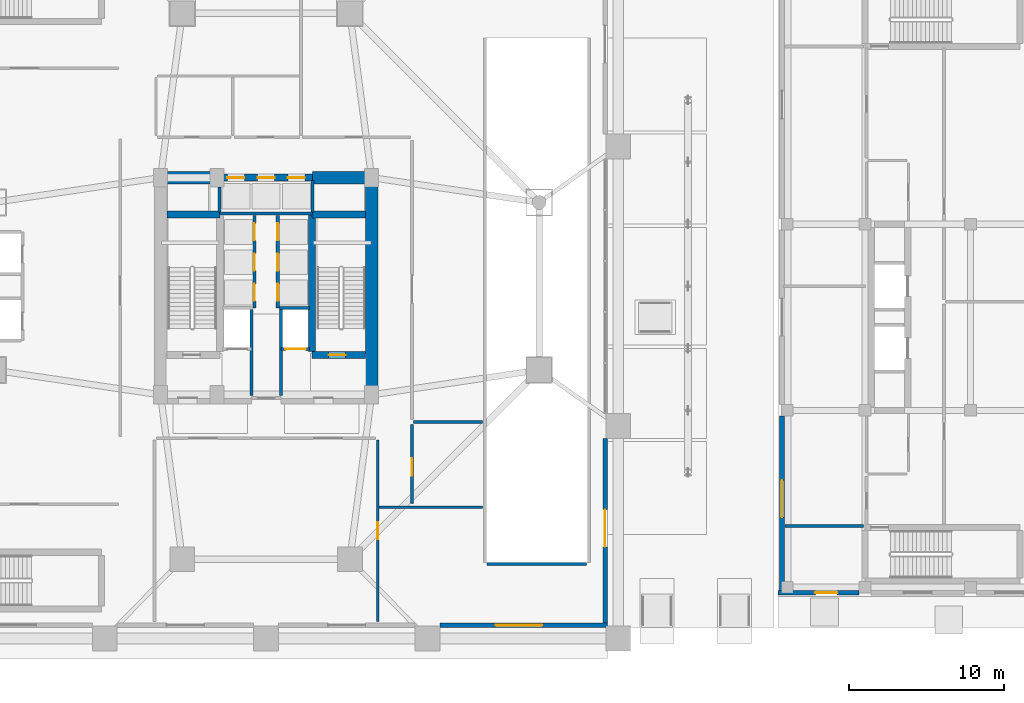
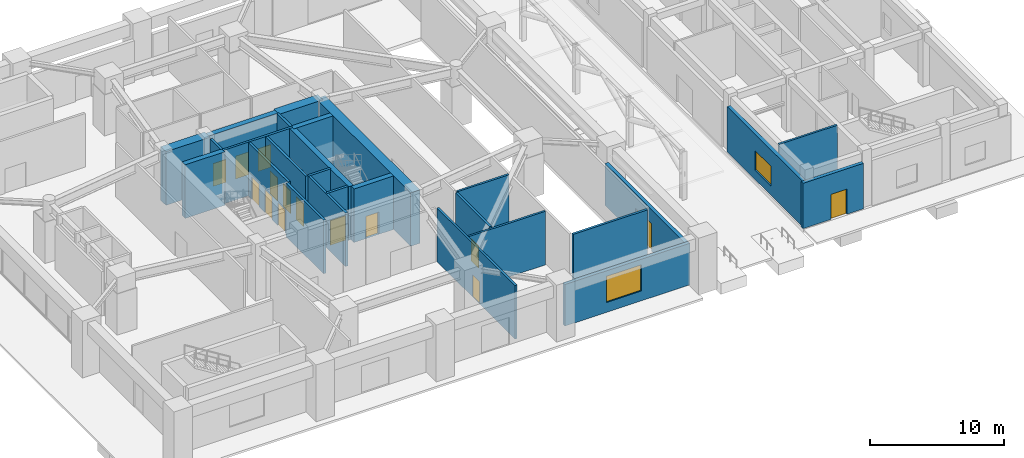
# One storey, part 19 of 27: 27 walls, 15 doors, 2 windows, 17 openings.
"""IFC4 building model written with IfcOpenShell, lengths in metres."""

from ifc_helpers import new_model, si_unit, direction, frame, frame_2d, origin, place, context, subcontext, project, spatial, rectangle, extrude, source, transform, mapped, material, layer, layer_set, type_object, element, fill, save


model = new_model("IFC4")

# Units and contexts
model_context = context("Model", 3, precision=1e-05, world=origin(), true_north=direction((0.0, 1.0)))
body_context = subcontext(model_context, "Body", "Model", "MODEL_VIEW")
ifc_project = project(units=[si_unit("LENGTHUNIT", "METRE"), si_unit("AREAUNIT", "SQUARE_METRE"), si_unit("VOLUMEUNIT", "CUBIC_METRE"), si_unit("PLANEANGLEUNIT", "RADIAN"), si_unit("MASSUNIT", "GRAM", prefix="KILO")], contexts=[model_context])

# Site, building, storey
site_placement = place(None, origin())
site = spatial("IfcSite", under=ifc_project, at=site_placement, CompositionType="ELEMENT")
building_placement = place(site_placement, origin())
building = spatial("IfcBuilding", under=site, at=building_placement, Name="Veraguas Prism Commons", CompositionType="ELEMENT")
storey_placement = place(building_placement, origin())
storey = spatial("IfcBuildingStorey", under=building, at=storey_placement, Name="L00", CompositionType="ELEMENT", Elevation=0.0)

# Wall, openings, doors
ifc_material_1 = material(Name="Concrete C60/75", Category="concrete")
ifc_layer_1 = layer(ifc_material_1, 0.449951171875, Name="Core Internal Shear Wall Lower RC 450", Category="concrete")
ifc_layer_set_1 = layer_set([ifc_layer_1], Name="Concrete C60/75")
wall_type_1 = type_object("IfcWallType", Name="Core Internal Shear Wall Lower RC 450", PredefinedType="SHEAR", material=ifc_layer_set_1)
wall_1_placement = place(storey_placement, frame((21.0, 31.0, 0.0), z_axis=(0.0, 0.0, 1.0), x_axis=(1.0, 0.0, 0.0)))
wall_1 = element("IfcWall", 1, at=wall_1_placement, inside=storey, type_object=wall_type_1, Name="High-Rise Lift Bank Front Shear Wall L00", PredefinedType="SHEAR", context=body_context, shape_type="SweptSolid", body=[
    extrude(rectangle(XDim=6.0, YDim=0.449951171875, at=frame_2d((3.0, 0.0))), origin(), (0.0, 0.0, 1.0), 4.89990234375),
])
opening_1_placement = place(wall_1_placement, frame((0.5, 0.0, 0.0)))
opening_1 = element("IfcOpeningElement", 2, at=opening_1_placement, cuts=wall_1, Name="Opening LD-01", PredefinedType="OPENING", context=body_context, shape_type="SweptSolid", body=[
    extrude(rectangle(XDim=1.10009765625, YDim=2.080078125, at=frame_2d((0.550048828125, 1.0400390625))), frame((0.0, 0.23486328125, 0.0), z_axis=(0.0, -1.0, 0.0), x_axis=(1.0, 0.0, 0.0)), (0.0, 0.0, 1.0), 0.469970703125),
])
opening_2_placement = place(wall_1_placement, frame((2.449951171875, 0.0, 0.0)))
opening_2 = element("IfcOpeningElement", 3, at=opening_2_placement, cuts=wall_1, Name="Opening LD-01", PredefinedType="OPENING", context=body_context, shape_type="SweptSolid", body=[
    extrude(rectangle(XDim=1.10009765625, YDim=2.080078125, at=frame_2d((0.550048828125, 1.0400390625))), frame((0.0, 0.23486328125, 0.0), z_axis=(0.0, -1.0, 0.0), x_axis=(1.0, 0.0, 0.0)), (0.0, 0.0, 1.0), 0.469970703125),
])
opening_3_placement = place(wall_1_placement, frame((4.39990234375, 0.0, 0.0)))
opening_3 = element("IfcOpeningElement", 4, at=opening_3_placement, cuts=wall_1, Name="Opening LD-01", PredefinedType="OPENING", context=body_context, shape_type="SweptSolid", body=[
    extrude(rectangle(XDim=1.10009765625, YDim=2.080078125, at=frame_2d((0.550048828125, 1.0400390625))), frame((0.0, 0.23486328125, 0.0), z_axis=(0.0, -1.0, 0.0), x_axis=(1.0, 0.0, 0.0)), (0.0, 0.0, 1.0), 0.469970703125),
])
ifc_material_2 = material(Name="Stainless steel AISI 316", Category="steel")
door_type_1 = type_object("IfcDoorType", Name="Passenger Lift Sliding Landing Door 1100x2080", OperationType="NOTDEFINED", PredefinedType="DOOR", material=ifc_material_2)
shared_shape_1 = source(origin(), body_context, "Body", "SweptSolid", [
    extrude(rectangle(XDim=1.10009765625, YDim=2.080078125, at=frame_2d((0.550048828125, 1.0400390625))), frame((0.0, 0.02490234375, 0.0), z_axis=(0.0, -1.0, 0.0), x_axis=(1.0, 0.0, 0.0)), (0.0, 0.0, 1.0), 0.050048828125),
])
door_1_placement = place(opening_1_placement, origin())
door_1 = element("IfcDoor", 5, at=door_1_placement, inside=storey, type_object=door_type_1, Name="Sliding Landing Door PL-H1 L00", OperationType="SLIDING_TO_LEFT", OverallHeight=2.080078125, OverallWidth=1.10009765625, PredefinedType="DOOR", context=body_context, shape_type="MappedRepresentation", body=[
    mapped(shared_shape_1, transform((0.0, 0.0, 0.0), scale=1.0)),
])
fill(opening_1, door_1)
door_2_placement = place(opening_2_placement, origin())
door_2 = element("IfcDoor", 6, at=door_2_placement, inside=storey, type_object=door_type_1, Name="Sliding Landing Door PL-H2 L00", OperationType="SLIDING_TO_LEFT", OverallHeight=2.080078125, OverallWidth=1.10009765625, PredefinedType="DOOR", context=body_context, shape_type="MappedRepresentation", body=[
    mapped(shared_shape_1, transform((0.0, 0.0, 0.0), scale=1.0)),
])
fill(opening_2, door_2)
door_3_placement = place(opening_3_placement, origin())
door_3 = element("IfcDoor", 7, at=door_3_placement, inside=storey, type_object=door_type_1, Name="Sliding Landing Door PL-H3 L00", OperationType="SLIDING_TO_LEFT", OverallHeight=2.080078125, OverallWidth=1.10009765625, PredefinedType="DOOR", context=body_context, shape_type="MappedRepresentation", body=[
    mapped(shared_shape_1, transform((0.0, 0.0, 0.0), scale=1.0)),
])
fill(opening_3, door_3)

# Wall, opening, door
wall_2_placement = place(storey_placement, frame((26.97509765625, 19.574951171875, 0.0), z_axis=(0.0, 0.0, 1.0), x_axis=(1.0, 0.0, 0.0)))
wall_2 = element("IfcWall", 8, at=wall_2_placement, inside=storey, type_object=wall_type_1, Name="Stair ST-02 South Shear Wall L00", PredefinedType="SHEAR", context=body_context, shape_type="SweptSolid", body=[
    extrude(rectangle(XDim=3.4248046875, YDim=0.449951171875, at=frame_2d((1.71240234375, 0.0))), origin(), (0.0, 0.0, 1.0), 4.89990234375),
])
opening_4_placement = place(wall_2_placement, frame((1.050048828125, 0.0, 0.0)))
opening_4 = element("IfcOpeningElement", 9, at=opening_4_placement, cuts=wall_2, Name="Opening DR-05", PredefinedType="OPENING", context=body_context, shape_type="SweptSolid", body=[
    extrude(rectangle(XDim=1.10009765625, YDim=2.030029296875, at=frame_2d((0.550048828125, 1.01513671875))), frame((0.0, 0.23486328125, 0.0), z_axis=(0.0, -1.0, 0.0), x_axis=(1.0, 0.0, 0.0)), (0.0, 0.0, 1.0), 0.469970703125),
])
ifc_material_3 = material(Name="Steel fire-rated door assembly", Category="steel")
door_type_2 = type_object("IfcDoorType", Name="Protected Stair and Refuge Fire Door 1100x2030", OperationType="NOTDEFINED", PredefinedType="DOOR", material=ifc_material_3)
shared_shape_2 = source(origin(), body_context, "Body", "SweptSolid", [
    extrude(rectangle(XDim=1.10009765625, YDim=2.030029296875, at=frame_2d((0.550048828125, 1.01513671875))), frame((0.0, 0.02490234375, 0.0), z_axis=(0.0, -1.0, 0.0), x_axis=(1.0, 0.0, 0.0)), (0.0, 0.0, 1.0), 0.050048828125),
])
door_4_placement = place(opening_4_placement, origin())
door_4 = element("IfcDoor", 10, at=door_4_placement, inside=storey, type_object=door_type_2, Name="Stair ST-02 Enclosure Door L00", OperationType="SINGLE_SWING_RIGHT", OverallHeight=2.030029296875, OverallWidth=1.10009765625, PredefinedType="DOOR", context=body_context, shape_type="MappedRepresentation", body=[
    mapped(shared_shape_2, transform((0.0, 0.0, 0.0), scale=1.0)),
])
fill(opening_4, door_4)

# Walls
wall_3_placement = place(storey_placement, frame((26.97509765625, 19.800048828125, 0.0), z_axis=(0.0, 0.0, 1.0), x_axis=(0.0, 1.0, 0.0)))
element("IfcWall", 11, at=wall_3_placement, inside=storey, type_object=wall_type_1, Name="Stair ST-02 Inner Shear Wall L00", PredefinedType="SHEAR", context=body_context, shape_type="SweptSolid", body=[
    extrude(rectangle(XDim=8.824951171875, YDim=0.449951171875, at=frame_2d((4.41259765625, 0.0))), origin(), (0.0, 0.0, 1.0), 4.89990234375),
])
for number, where, z_axis, x_axis, name in (
    (12, (17.60009765625, 28.625, 0.0), (0.0, 0.0, 1.0), (1.0, 0.0, 0.0), "Stair ST-01 North Shear Wall L00"),
    (13, (26.97509765625, 28.625, 0.0), (0.0, 0.0, 1.0), (1.0, 0.0, 0.0), "Stair ST-02 North Shear Wall L00"),
):
    element("IfcWall", number, at=place(storey_placement, frame(where, z_axis=z_axis, x_axis=x_axis)), inside=storey, type_object=wall_type_1, Name=name, PredefinedType="SHEAR", context=body_context, shape_type="SweptSolid", body=[
        extrude(rectangle(XDim=3.4248046875, YDim=0.449951171875, at=frame_2d((1.71240234375, 0.0))), origin(), (0.0, 0.0, 1.0), 4.89990234375),
    ])
ifc_layer_2 = layer(ifc_material_1, 0.800048828125, Name="Core Outer Shear Wall Lower RC 800", Category="concrete")
ifc_layer_set_2 = layer_set([ifc_layer_2], Name="Concrete C60/75")
wall_type_2 = type_object("IfcWallType", Name="Core Outer Shear Wall Lower RC 800", PredefinedType="SHEAR", material=ifc_layer_set_2)
wall_4_placement = place(storey_placement, frame((30.800048828125, 16.800048828125, 0.0), z_axis=(0.0, 0.0, 1.0), x_axis=(0.0, 1.0, 0.0)))
element("IfcWall", 14, at=wall_4_placement, inside=storey, type_object=wall_type_2, Name="Central Core East Shear Wall L00", PredefinedType="SHEAR", context=body_context, shape_type="SweptSolid", body=[
    extrude(rectangle(XDim=14.199951171875, YDim=0.800048828125, at=frame_2d((7.10009765625, 0.0))), origin(), (0.0, 0.0, 1.0), 4.89990234375),
])
for number, where, z_axis, x_axis, name in (
    (15, (17.199951171875, 31.0, 0.0), (0.0, 0.0, 1.0), (1.0, 0.0, 0.0), "Central Core North-West Shear Wall L00"),
    (16, (27.0, 31.0, 0.0), (0.0, 0.0, 1.0), (1.0, 0.0, 0.0), "Central Core North-East Shear Wall L00"),
):
    element("IfcWall", number, at=place(storey_placement, frame(where, z_axis=z_axis, x_axis=x_axis)), inside=storey, type_object=wall_type_2, Name=name, PredefinedType="SHEAR", context=body_context, shape_type="SweptSolid", body=[
        extrude(rectangle(XDim=3.800048828125, YDim=0.800048828125, at=frame_2d((1.89990234375, 0.0))), origin(), (0.0, 0.0, 1.0), 4.89990234375),
    ])

# Wall, opening, door
ifc_material_4 = material(Name="Autoclaved aerated masonry block 10 MPa", Category="masonry")
ifc_layer_3 = layer(ifc_material_4, 0.179931640625, Name="Corridor and Inter-Tenancy Partition 180", Category="masonry")
ifc_layer_set_3 = layer_set([ifc_layer_3], Name="Autoclaved aerated masonry block 10 MPa")
wall_type_3 = type_object("IfcWallType", Name="Corridor and Inter-Tenancy Partition 180", PredefinedType="PARTITIONING", material=ifc_layer_set_3)
wall_5_placement = place(storey_placement, frame((31.199951171875, 2.39990234375, 0.0), z_axis=(0.0, 0.0, 1.0), x_axis=(0.0, 1.0, 0.0)))
wall_5 = element("IfcWall", 17, at=wall_5_placement, inside=storey, type_object=wall_type_3, Name="WL-L00-PT03", PredefinedType="PARTITIONING", context=body_context, shape_type="SweptSolid", body=[
    extrude(rectangle(XDim=11.7001953125, YDim=0.179931640625, at=frame_2d((5.85009765625, 0.0))), origin(), (0.0, 0.0, 1.0), 4.89990234375),
])
opening_5_placement = place(wall_5_placement, frame((5.300048828125, 0.0, 0.0)))
opening_5 = element("IfcOpeningElement", 18, at=opening_5_placement, cuts=wall_5, Name="Opening DR-05", PredefinedType="OPENING", context=body_context, shape_type="SweptSolid", body=[
    extrude(rectangle(XDim=1.10009765625, YDim=2.030029296875, at=frame_2d((0.550048828125, 1.01513671875))), frame((0.0, 0.099853515625, 0.0), z_axis=(0.0, -1.0, 0.0), x_axis=(1.0, 0.0, 0.0)), (0.0, 0.0, 1.0), 0.199951171875),
])
door_5_placement = place(opening_5_placement, origin())
door_5 = element("IfcDoor", 19, at=door_5_placement, inside=storey, type_object=door_type_2, Name="Loading Bay Door L00", OperationType="SINGLE_SWING_RIGHT", OverallHeight=2.030029296875, OverallWidth=1.10009765625, PredefinedType="DOOR", context=body_context, shape_type="MappedRepresentation", body=[
    mapped(shared_shape_2, transform((0.0, 0.0, 0.0), scale=1.0)),
])
fill(opening_5, door_5)

wall_6_placement = place(storey_placement, frame((33.39990234375, 10.0, 0.0), z_axis=(0.0, 0.0, 1.0), x_axis=(0.0, 1.0, 0.0)))
wall_6 = element("IfcWall", 20, at=wall_6_placement, inside=storey, type_object=wall_type_3, Name="WL-L00-PT04", PredefinedType="PARTITIONING", context=body_context, shape_type="SweptSolid", body=[
    extrude(rectangle(XDim=5.10009765625, YDim=0.179931640625, at=frame_2d((2.550048828125, 0.0))), origin(), (0.0, 0.0, 1.0), 4.89990234375),
])
opening_6_placement = place(wall_6_placement, frame((1.800048828125, 0.0, 0.0)))
opening_6 = element("IfcOpeningElement", 21, at=opening_6_placement, cuts=wall_6, Name="Opening DR-05", PredefinedType="OPENING", context=body_context, shape_type="SweptSolid", body=[
    extrude(rectangle(XDim=1.10009765625, YDim=2.030029296875, at=frame_2d((0.550048828125, 1.01513671875))), frame((0.0, 0.099853515625, 0.0), z_axis=(0.0, -1.0, 0.0), x_axis=(1.0, 0.0, 0.0)), (0.0, 0.0, 1.0), 0.199951171875),
])
door_6_placement = place(opening_6_placement, origin())
door_6 = element("IfcDoor", 22, at=door_6_placement, inside=storey, type_object=door_type_2, Name="Fire Command Centre Door", OperationType="SINGLE_SWING_LEFT", OverallHeight=2.030029296875, OverallWidth=1.10009765625, PredefinedType="DOOR", context=body_context, shape_type="MappedRepresentation", body=[
    mapped(shared_shape_2, transform((0.0, 0.0, 0.0), scale=1.0)),
])
fill(opening_6, door_6)

# Walls
wall_7_placement = place(storey_placement, frame((31.280029296875, 9.75, 0.0), z_axis=(0.0, 0.0, 1.0), x_axis=(1.0, 0.0, 0.0)))
element("IfcWall", 23, at=wall_7_placement, inside=storey, type_object=wall_type_3, Name="WL-L00-PT06", PredefinedType="PARTITIONING", context=body_context, shape_type="SweptSolid", body=[
    extrude(rectangle(XDim=6.669921875, YDim=0.179931640625, at=frame_2d((3.3349609375, 0.0))), origin(), (0.0, 0.0, 1.0), 4.89990234375),
])
wall_8_placement = place(storey_placement, frame((33.5, 15.25, 0.0), z_axis=(0.0, 0.0, 1.0), x_axis=(1.0, 0.0, 0.0)))
element("IfcWall", 24, at=wall_8_placement, inside=storey, type_object=wall_type_3, Name="WL-L00-PT07", PredefinedType="PARTITIONING", context=body_context, shape_type="SweptSolid", body=[
    extrude(rectangle(XDim=4.449951171875, YDim=0.179931640625, at=frame_2d((2.22509765625, 0.0))), origin(), (0.0, 0.0, 1.0), 4.89990234375),
])
wall_9_placement = place(storey_placement, frame((57.449951171875, 8.550048828125, 0.0), z_axis=(0.0, 0.0, 1.0), x_axis=(1.0, 0.0, 0.0)))
element("IfcWall", 25, at=wall_9_placement, inside=storey, type_object=wall_type_3, Name="WL-L00-HCEXS", PredefinedType="PARTITIONING", context=body_context, shape_type="SweptSolid", body=[
    extrude(rectangle(XDim=5.050048828125, YDim=0.179931640625, at=frame_2d((2.52490234375, 0.0))), origin(), (0.0, 0.0, 1.0), 4.89990234375),
])

# Wall, opening, window
ifc_material_5 = material(Name="Precast concrete C40/50", Category="concrete")
ifc_layer_4 = layer(ifc_material_5, 0.300048828125, Name="External Precast Facade Wall 300", Category="concrete")
ifc_layer_set_4 = layer_set([ifc_layer_4], Name="Precast concrete C40/50")
wall_type_4 = type_object("IfcWallType", Name="External Precast Facade Wall 300", PredefinedType="SOLIDWALL", material=ifc_layer_set_4)
wall_10_placement = place(storey_placement, frame((35.199951171875, 2.14990234375, 0.0), z_axis=(0.0, 0.0, 1.0), x_axis=(1.0, 0.0, 0.0)))
wall_10 = element("IfcWall", 26, at=wall_10_placement, inside=storey, type_object=wall_type_4, Name="Podium South Facade Wall L00-04", PredefinedType="SOLIDWALL", context=body_context, shape_type="SweptSolid", body=[
    extrude(rectangle(XDim=10.800048828125, YDim=0.300048828125, at=frame_2d((5.39990234375, 0.0))), origin(), (0.0, 0.0, 1.0), 3.800048828125),
])
opening_7_placement = place(wall_10_placement, frame((3.60009765625, 0.0, 0.89990234375)))
opening_7 = element("IfcOpeningElement", 27, at=opening_7_placement, cuts=wall_10, Name="Opening WN-04", PredefinedType="OPENING", context=body_context, shape_type="SweptSolid", body=[
    extrude(rectangle(XDim=3.0, YDim=2.39990234375, at=frame_2d((1.5, 1.199951171875))), frame((0.0, 0.159912109375, 0.0), z_axis=(0.0, -1.0, 0.0), x_axis=(1.0, 0.0, 0.0)), (0.0, 0.0, 1.0), 0.320068359375),
])
ifc_material_6 = material(Name="Laminated low-e glass", Category="glass")
window_type_1 = type_object("IfcWindowType", Name="Station Concourse Clerestory Window 3000x2400", PartitioningType="DOUBLE_PANEL_VERTICAL", PredefinedType="WINDOW", material=ifc_material_6)
shared_shape_3 = source(origin(), body_context, "Body", "SweptSolid", [
    extrude(rectangle(XDim=3.0, YDim=2.39990234375, at=frame_2d((1.5, 1.199951171875))), frame((0.0, 0.030029296875, 0.0), z_axis=(0.0, -1.0, 0.0), x_axis=(1.0, 0.0, 0.0)), (0.0, 0.0, 1.0), 0.06005859375),
])
window_1_placement = place(opening_7_placement, origin())
window_1 = element("IfcWindow", 28, at=window_1_placement, inside=storey, type_object=window_type_1, Name="Podium Window L00-S04", OverallHeight=2.39990234375, OverallWidth=3.0, PartitioningType="DOUBLE_PANEL_VERTICAL", PredefinedType="WINDOW", context=body_context, shape_type="MappedRepresentation", body=[
    mapped(shared_shape_3, transform((0.0, 0.0, 0.0), scale=1.0)),
])
fill(opening_7, window_1)

# Wall, opening, door
wall_11_placement = place(storey_placement, frame((45.85009765625, 2.300048828125, 0.0), z_axis=(0.0, 0.0, 1.0), x_axis=(0.0, 1.0, 0.0)))
wall_11 = element("IfcWall", 29, at=wall_11_placement, inside=storey, type_object=wall_type_4, Name="Podium East Plaza Wall L00-01", PredefinedType="SOLIDWALL", context=body_context, shape_type="SweptSolid", body=[
    extrude(rectangle(XDim=11.89990234375, YDim=0.300048828125, at=frame_2d((5.949951171875, 0.0))), origin(), (0.0, 0.0, 1.0), 3.800048828125),
])
opening_8_placement = place(wall_11_placement, frame((4.89990234375, 0.0, 0.0)))
opening_8 = element("IfcOpeningElement", 30, at=opening_8_placement, cuts=wall_11, Name="Opening DR-08", PredefinedType="OPENING", context=body_context, shape_type="SweptSolid", body=[
    extrude(rectangle(XDim=2.39990234375, YDim=2.5, at=frame_2d((1.199951171875, 1.25))), frame((0.0, 0.159912109375, 0.0), z_axis=(0.0, -1.0, 0.0), x_axis=(1.0, 0.0, 0.0)), (0.0, 0.0, 1.0), 0.320068359375),
])
ifc_material_7 = material(Name="Anodised aluminium EN AW-6063 T6", Category="aluminium")
door_type_3 = type_object("IfcDoorType", Name="Plaza Main Double Entrance Door 2400x2500", OperationType="NOTDEFINED", PredefinedType="DOOR", material=ifc_material_7)
shared_shape_4 = source(origin(), body_context, "Body", "SweptSolid", [
    extrude(rectangle(XDim=2.39990234375, YDim=2.5, at=frame_2d((1.199951171875, 1.25))), frame((0.0, 0.02490234375, 0.0), z_axis=(0.0, -1.0, 0.0), x_axis=(1.0, 0.0, 0.0)), (0.0, 0.0, 1.0), 0.050048828125),
])
door_7_placement = place(opening_8_placement, frame((2.39990234375, 0.0, 0.0), z_axis=(0.0, 0.0, 1.0), x_axis=(-1.0, 0.0, 0.0)))
door_7 = element("IfcDoor", 31, at=door_7_placement, inside=storey, type_object=door_type_3, Name="Plaza Entrance Door 01", OperationType="DOUBLE_SWING_LEFT", OverallHeight=2.5, OverallWidth=2.39990234375, PredefinedType="DOOR", context=body_context, shape_type="MappedRepresentation", body=[
    mapped(shared_shape_4, transform((0.0, 0.0, 0.0), scale=1.0)),
])
fill(opening_8, door_7)

wall_12_placement = place(storey_placement, frame((57.0, 4.25, 0.0), z_axis=(0.0, 0.0, 1.0), x_axis=(1.0, 0.0, 0.0)))
wall_12 = element("IfcWall", 32, at=wall_12_placement, inside=storey, type_object=wall_type_4, Name="Health Centre South Wall L00-01", PredefinedType="SOLIDWALL", context=body_context, shape_type="SweptSolid", body=[
    extrude(rectangle(XDim=5.22509765625, YDim=0.300048828125, at=frame_2d((2.612548828125, 0.0))), origin(), (0.0, 0.0, 1.0), 4.14990234375),
])
opening_9_placement = place(wall_12_placement, frame((2.39990234375, 0.0, 0.0)))
opening_9 = element("IfcOpeningElement", 33, at=opening_9_placement, cuts=wall_12, Name="Opening DR-09", PredefinedType="OPENING", context=body_context, shape_type="SweptSolid", body=[
    extrude(rectangle(XDim=1.39990234375, YDim=2.300048828125, at=frame_2d((0.699951171875, 1.14990234375))), frame((0.0, 0.159912109375, 0.0), z_axis=(0.0, -1.0, 0.0), x_axis=(1.0, 0.0, 0.0)), (0.0, 0.0, 1.0), 0.320068359375),
])
door_type_4 = type_object("IfcDoorType", Name="Exterior Stair Discharge Door 1400x2300", OperationType="NOTDEFINED", PredefinedType="DOOR", material=ifc_material_7)
shared_shape_5 = source(origin(), body_context, "Body", "SweptSolid", [
    extrude(rectangle(XDim=1.39990234375, YDim=2.300048828125, at=frame_2d((0.699951171875, 1.14990234375))), frame((0.0, 0.02490234375, 0.0), z_axis=(0.0, -1.0, 0.0), x_axis=(1.0, 0.0, 0.0)), (0.0, 0.0, 1.0), 0.050048828125),
])
door_8_placement = place(opening_9_placement, frame((1.39990234375, 0.0, 0.0), z_axis=(0.0, 0.0, 1.0), x_axis=(-1.0, 0.0, 0.0)))
door_8 = element("IfcDoor", 34, at=door_8_placement, inside=storey, type_object=door_type_4, Name="Health Centre South Stair Exit Door", OperationType="SINGLE_SWING_RIGHT", OverallHeight=2.300048828125, OverallWidth=1.39990234375, PredefinedType="DOOR", context=body_context, shape_type="MappedRepresentation", body=[
    mapped(shared_shape_5, transform((0.0, 0.0, 0.0), scale=1.0)),
])
fill(opening_9, door_8)

# Wall, opening, window
wall_13_placement = place(storey_placement, frame((57.25, 15.625, 0.0), z_axis=(0.0, 0.0, 1.0), x_axis=(0.0, -1.0, 0.0)))
wall_13 = element("IfcWall", 35, at=wall_13_placement, inside=storey, type_object=wall_type_4, Name="Health Centre West Plaza Wall L00-03", PredefinedType="SOLIDWALL", context=body_context, shape_type="SweptSolid", body=[
    extrude(rectangle(XDim=11.22509765625, YDim=0.300048828125, at=frame_2d((5.612548828125, 0.0))), origin(), (0.0, 0.0, 1.0), 4.14990234375),
])
opening_10_placement = place(wall_13_placement, frame((4.125, 0.0, 0.85009765625)))
opening_10 = element("IfcOpeningElement", 36, at=opening_10_placement, cuts=wall_13, Name="Opening WN-02", PredefinedType="OPENING", context=body_context, shape_type="SweptSolid", body=[
    extrude(rectangle(XDim=2.39990234375, YDim=1.800048828125, at=frame_2d((1.199951171875, 0.89990234375))), frame((0.0, 0.159912109375, 0.0), z_axis=(0.0, -1.0, 0.0), x_axis=(1.0, 0.0, 0.0)), (0.0, 0.0, 1.0), 0.320068359375),
])
window_type_2 = type_object("IfcWindowType", Name="Clinic Waiting Fixed Window 2400x1800", PartitioningType="SINGLE_PANEL", PredefinedType="WINDOW", material=ifc_material_6)
shared_shape_6 = source(origin(), body_context, "Body", "SweptSolid", [
    extrude(rectangle(XDim=2.39990234375, YDim=1.800048828125, at=frame_2d((1.199951171875, 0.89990234375))), frame((0.0, 0.030029296875, 0.0), z_axis=(0.0, -1.0, 0.0), x_axis=(1.0, 0.0, 0.0)), (0.0, 0.0, 1.0), 0.06005859375),
])
window_2_placement = place(opening_10_placement, origin())
window_2 = element("IfcWindow", 37, at=window_2_placement, inside=storey, type_object=window_type_2, Name="Health Centre West Window L00-03", OverallHeight=1.800048828125, OverallWidth=2.39990234375, PartitioningType="SINGLE_PANEL", PredefinedType="WINDOW", context=body_context, shape_type="MappedRepresentation", body=[
    mapped(shared_shape_6, transform((0.0, 0.0, 0.0), scale=1.0)),
])
fill(opening_10, window_2)

# Wall
ifc_layer_5 = layer(ifc_material_4, 0.199951171875, Name="Rated Shaft and Lobby Block Wall 200", Category="masonry")
ifc_layer_set_5 = layer_set([ifc_layer_5], Name="Autoclaved aerated masonry block 10 MPa")
wall_type_5 = type_object("IfcWallType", Name="Rated Shaft and Lobby Block Wall 200", PredefinedType="SOLIDWALL", material=ifc_layer_set_5)
wall_14_placement = place(storey_placement, frame((38.25, 6.10009765625, 0.0), z_axis=(0.0, 0.0, 1.0), x_axis=(1.0, 0.0, 0.0)))
element("IfcWall", 38, at=wall_14_placement, inside=storey, type_object=wall_type_5, Name="Vehicle Ramp Enclosure Wall South", PredefinedType="SOLIDWALL", context=body_context, shape_type="SweptSolid", body=[
    extrude(rectangle(XDim=6.39990234375, YDim=0.199951171875, at=frame_2d((3.199951171875, 0.0))), origin(), (0.0, 0.0, 1.0), 4.89990234375),
])

# Wall, opening, door
wall_15_placement = place(storey_placement, frame((24.949951171875, 19.949951171875, 0.0), z_axis=(0.0, 0.0, 1.0), x_axis=(1.0, 0.0, 0.0)))
wall_15 = element("IfcWall", 39, at=wall_15_placement, inside=storey, type_object=wall_type_5, Name="Firefighting Lift FFL-2 Front Wall L00", PredefinedType="SOLIDWALL", context=body_context, shape_type="SweptSolid", body=[
    extrude(rectangle(XDim=1.85009765625, YDim=0.199951171875, at=frame_2d((0.925048828125, 0.0))), origin(), (0.0, 0.0, 1.0), 4.89990234375),
])
opening_11_placement = place(wall_15_placement, frame((0.300048828125, 0.0, 0.0)))
opening_11 = element("IfcOpeningElement", 40, at=opening_11_placement, cuts=wall_15, Name="Opening LD-02", PredefinedType="OPENING", context=body_context, shape_type="SweptSolid", body=[
    extrude(rectangle(XDim=1.300048828125, YDim=2.25, at=frame_2d((0.64990234375, 1.125))), frame((0.0, 0.10986328125, 0.0), z_axis=(0.0, -1.0, 0.0), x_axis=(1.0, 0.0, 0.0)), (0.0, 0.0, 1.0), 0.219970703125),
])
door_type_5 = type_object("IfcDoorType", Name="Firefighting Lift Sliding Landing Door 1300x2250", OperationType="NOTDEFINED", PredefinedType="DOOR", material=ifc_material_2)
shared_shape_7 = source(origin(), body_context, "Body", "SweptSolid", [
    extrude(rectangle(XDim=1.300048828125, YDim=2.25, at=frame_2d((0.64990234375, 1.125))), frame((0.0, 0.02490234375, 0.0), z_axis=(0.0, -1.0, 0.0), x_axis=(1.0, 0.0, 0.0)), (0.0, 0.0, 1.0), 0.050048828125),
])
door_9_placement = place(opening_11_placement, origin())
door_9 = element("IfcDoor", 41, at=door_9_placement, inside=storey, type_object=door_type_5, Name="Firefighting Lift FFL-2 Front Wall L00", OperationType="SLIDING_TO_LEFT", OverallHeight=2.25, OverallWidth=1.300048828125, PredefinedType="DOOR", context=body_context, shape_type="MappedRepresentation", body=[
    mapped(shared_shape_7, transform((0.0, 0.0, 0.0), scale=1.0)),
])
fill(opening_11, door_9)

# Walls
for number, where, z_axis, x_axis, name in (
    (42, (23.050048828125, 16.949951171875, 0.0), (0.0, 0.0, 1.0), (0.0, 1.0, 0.0), "West FF Lobby Divider Wall L00"),
    (43, (24.949951171875, 16.949951171875, 0.0), (0.0, 0.0, 1.0), (0.0, 1.0, 0.0), "East FF Lobby Divider Wall L00"),
):
    element("IfcWall", number, at=place(storey_placement, frame(where, z_axis=z_axis, x_axis=x_axis)), inside=storey, type_object=wall_type_5, Name=name, PredefinedType="SOLIDWALL", context=body_context, shape_type="SweptSolid", body=[
        extrude(rectangle(XDim=5.60009765625, YDim=0.199951171875, at=frame_2d((2.800048828125, 0.0))), origin(), (0.0, 0.0, 1.0), 4.89990234375),
    ])
wall_16_placement = place(storey_placement, frame((24.85009765625, 22.60009765625, 0.0), z_axis=(0.0, 0.0, 1.0), x_axis=(1.0, 0.0, 0.0)))
element("IfcWall", 44, at=wall_16_placement, inside=storey, type_object=wall_type_5, Name="Firefighting Lift FFL-2 Rear Wall L00", PredefinedType="SOLIDWALL", context=body_context, shape_type="SweptSolid", body=[
    extrude(rectangle(XDim=1.949951171875, YDim=0.199951171875, at=frame_2d((0.97509765625, 0.0))), origin(), (0.0, 0.0, 1.0), 4.89990234375),
])
wall_17_placement = place(storey_placement, frame((21.0, 28.699951171875, 0.0), z_axis=(0.0, 0.0, 1.0), x_axis=(1.0, 0.0, 0.0)))
element("IfcWall", 45, at=wall_17_placement, inside=storey, type_object=wall_type_5, Name="High-Rise Lift Bank Rear Shaft Wall L00", PredefinedType="SOLIDWALL", context=body_context, shape_type="SweptSolid", body=[
    extrude(rectangle(XDim=6.0, YDim=0.199951171875, at=frame_2d((3.0, 0.0))), origin(), (0.0, 0.0, 1.0), 4.89990234375),
])
wall_18_placement = place(storey_placement, frame((21.0, 28.800048828125, 0.0), z_axis=(0.0, 0.0, 1.0), x_axis=(0.0, 1.0, 0.0)))
element("IfcWall", 46, at=wall_18_placement, inside=storey, type_object=wall_type_5, Name="High-Rise Lift Bank West Shaft Wall L00", PredefinedType="SOLIDWALL", context=body_context, shape_type="SweptSolid", body=[
    extrude(rectangle(XDim=1.599853515625, YDim=0.199951171875, at=frame_2d((0.7998046875, 0.0))), origin(), (0.0, 0.0, 1.0), 4.89990234375),
])
wall_19_placement = place(storey_placement, frame((27.0, 28.800048828125, 0.0), z_axis=(0.0, 0.0, 1.0), x_axis=(0.0, 1.0, 0.0)))
element("IfcWall", 47, at=wall_19_placement, inside=storey, type_object=wall_type_5, Name="High-Rise Lift Bank East Shaft Wall L00", PredefinedType="SOLIDWALL", context=body_context, shape_type="SweptSolid", body=[
    extrude(rectangle(XDim=2.0, YDim=0.199951171875, at=frame_2d((1.0, 0.0))), origin(), (0.0, 0.0, 1.0), 4.89990234375),
])

# Wall, openings, doors
wall_20_placement = place(storey_placement, frame((23.25, 22.60009765625, 0.0), z_axis=(0.0, 0.0, 1.0), x_axis=(0.0, 1.0, 0.0)))
wall_20 = element("IfcWall", 48, at=wall_20_placement, inside=storey, type_object=wall_type_5, Name="Low-Rise Lift Bank Front Wall L00", PredefinedType="SOLIDWALL", context=body_context, shape_type="SweptSolid", body=[
    extrude(rectangle(XDim=5.949951171875, YDim=0.199951171875, at=frame_2d((2.97509765625, 0.0))), origin(), (0.0, 0.0, 1.0), 4.89990234375),
])
opening_12_placement = place(wall_20_placement, frame((0.449951171875, 0.0, 0.0)))
opening_12 = element("IfcOpeningElement", 49, at=opening_12_placement, cuts=wall_20, Name="Opening LD-01", PredefinedType="OPENING", context=body_context, shape_type="SweptSolid", body=[
    extrude(rectangle(XDim=1.10009765625, YDim=2.080078125, at=frame_2d((0.550048828125, 1.0400390625))), frame((0.0, 0.10986328125, 0.0), z_axis=(0.0, -1.0, 0.0), x_axis=(1.0, 0.0, 0.0)), (0.0, 0.0, 1.0), 0.219970703125),
])
opening_13_placement = place(wall_20_placement, frame((2.39990234375, 0.0, 0.0)))
opening_13 = element("IfcOpeningElement", 50, at=opening_13_placement, cuts=wall_20, Name="Opening LD-01", PredefinedType="OPENING", context=body_context, shape_type="SweptSolid", body=[
    extrude(rectangle(XDim=1.10009765625, YDim=2.080078125, at=frame_2d((0.550048828125, 1.0400390625))), frame((0.0, 0.10986328125, 0.0), z_axis=(0.0, -1.0, 0.0), x_axis=(1.0, 0.0, 0.0)), (0.0, 0.0, 1.0), 0.219970703125),
])
opening_14_placement = place(wall_20_placement, frame((4.35009765625, 0.0, 0.0)))
opening_14 = element("IfcOpeningElement", 51, at=opening_14_placement, cuts=wall_20, Name="Opening LD-01", PredefinedType="OPENING", context=body_context, shape_type="SweptSolid", body=[
    extrude(rectangle(XDim=1.10009765625, YDim=2.080078125, at=frame_2d((0.550048828125, 1.0400390625))), frame((0.0, 0.10986328125, 0.0), z_axis=(0.0, -1.0, 0.0), x_axis=(1.0, 0.0, 0.0)), (0.0, 0.0, 1.0), 0.219970703125),
])
door_10_placement = place(opening_12_placement, origin())
door_10 = element("IfcDoor", 52, at=door_10_placement, inside=storey, type_object=door_type_1, Name="Sliding Landing Door PL-L1 L00", OperationType="SLIDING_TO_LEFT", OverallHeight=2.080078125, OverallWidth=1.10009765625, PredefinedType="DOOR", context=body_context, shape_type="MappedRepresentation", body=[
    mapped(shared_shape_1, transform((0.0, 0.0, 0.0), scale=1.0)),
])
fill(opening_12, door_10)
door_11_placement = place(opening_13_placement, origin())
door_11 = element("IfcDoor", 53, at=door_11_placement, inside=storey, type_object=door_type_1, Name="Sliding Landing Door PL-L2 L00", OperationType="SLIDING_TO_LEFT", OverallHeight=2.080078125, OverallWidth=1.10009765625, PredefinedType="DOOR", context=body_context, shape_type="MappedRepresentation", body=[
    mapped(shared_shape_1, transform((0.0, 0.0, 0.0), scale=1.0)),
])
fill(opening_13, door_11)
door_12_placement = place(opening_14_placement, origin())
door_12 = element("IfcDoor", 54, at=door_12_placement, inside=storey, type_object=door_type_1, Name="Sliding Landing Door PL-L3 L00", OperationType="SLIDING_TO_LEFT", OverallHeight=2.080078125, OverallWidth=1.10009765625, PredefinedType="DOOR", context=body_context, shape_type="MappedRepresentation", body=[
    mapped(shared_shape_1, transform((0.0, 0.0, 0.0), scale=1.0)),
])
fill(opening_14, door_12)

wall_21_placement = place(storey_placement, frame((24.75, 22.60009765625, 0.0), z_axis=(0.0, 0.0, 1.0), x_axis=(0.0, 1.0, 0.0)))
wall_21 = element("IfcWall", 55, at=wall_21_placement, inside=storey, type_object=wall_type_5, Name="Mid-Rise Lift Bank Front Wall L00", PredefinedType="SOLIDWALL", context=body_context, shape_type="SweptSolid", body=[
    extrude(rectangle(XDim=5.949951171875, YDim=0.199951171875, at=frame_2d((2.97509765625, 0.0))), origin(), (0.0, 0.0, 1.0), 4.89990234375),
])
opening_15_placement = place(wall_21_placement, frame((0.449951171875, 0.0, 0.0)))
opening_15 = element("IfcOpeningElement", 56, at=opening_15_placement, cuts=wall_21, Name="Opening LD-01", PredefinedType="OPENING", context=body_context, shape_type="SweptSolid", body=[
    extrude(rectangle(XDim=1.10009765625, YDim=2.080078125, at=frame_2d((0.550048828125, 1.0400390625))), frame((0.0, 0.10986328125, 0.0), z_axis=(0.0, -1.0, 0.0), x_axis=(1.0, 0.0, 0.0)), (0.0, 0.0, 1.0), 0.219970703125),
])
opening_16_placement = place(wall_21_placement, frame((2.39990234375, 0.0, 0.0)))
opening_16 = element("IfcOpeningElement", 57, at=opening_16_placement, cuts=wall_21, Name="Opening LD-01", PredefinedType="OPENING", context=body_context, shape_type="SweptSolid", body=[
    extrude(rectangle(XDim=1.10009765625, YDim=2.080078125, at=frame_2d((0.550048828125, 1.0400390625))), frame((0.0, 0.10986328125, 0.0), z_axis=(0.0, -1.0, 0.0), x_axis=(1.0, 0.0, 0.0)), (0.0, 0.0, 1.0), 0.219970703125),
])
opening_17_placement = place(wall_21_placement, frame((4.35009765625, 0.0, 0.0)))
opening_17 = element("IfcOpeningElement", 58, at=opening_17_placement, cuts=wall_21, Name="Opening LD-01", PredefinedType="OPENING", context=body_context, shape_type="SweptSolid", body=[
    extrude(rectangle(XDim=1.10009765625, YDim=2.080078125, at=frame_2d((0.550048828125, 1.0400390625))), frame((0.0, 0.10986328125, 0.0), z_axis=(0.0, -1.0, 0.0), x_axis=(1.0, 0.0, 0.0)), (0.0, 0.0, 1.0), 0.219970703125),
])
door_13_placement = place(opening_15_placement, origin())
door_13 = element("IfcDoor", 59, at=door_13_placement, inside=storey, type_object=door_type_1, Name="Sliding Landing Door PL-M1 L00", OperationType="SLIDING_TO_LEFT", OverallHeight=2.080078125, OverallWidth=1.10009765625, PredefinedType="DOOR", context=body_context, shape_type="MappedRepresentation", body=[
    mapped(shared_shape_1, transform((0.0, 0.0, 0.0), scale=1.0)),
])
fill(opening_15, door_13)
door_14_placement = place(opening_16_placement, origin())
door_14 = element("IfcDoor", 60, at=door_14_placement, inside=storey, type_object=door_type_1, Name="Sliding Landing Door PL-M2 L00", OperationType="SLIDING_TO_LEFT", OverallHeight=2.080078125, OverallWidth=1.10009765625, PredefinedType="DOOR", context=body_context, shape_type="MappedRepresentation", body=[
    mapped(shared_shape_1, transform((0.0, 0.0, 0.0), scale=1.0)),
])
fill(opening_16, door_14)
door_15_placement = place(opening_17_placement, origin())
door_15 = element("IfcDoor", 61, at=door_15_placement, inside=storey, type_object=door_type_1, Name="Sliding Landing Door PL-M3 L00", OperationType="SLIDING_TO_LEFT", OverallHeight=2.080078125, OverallWidth=1.10009765625, PredefinedType="DOOR", context=body_context, shape_type="MappedRepresentation", body=[
    mapped(shared_shape_1, transform((0.0, 0.0, 0.0), scale=1.0)),
])
fill(opening_17, door_15)

save(model, "model.ifc")
